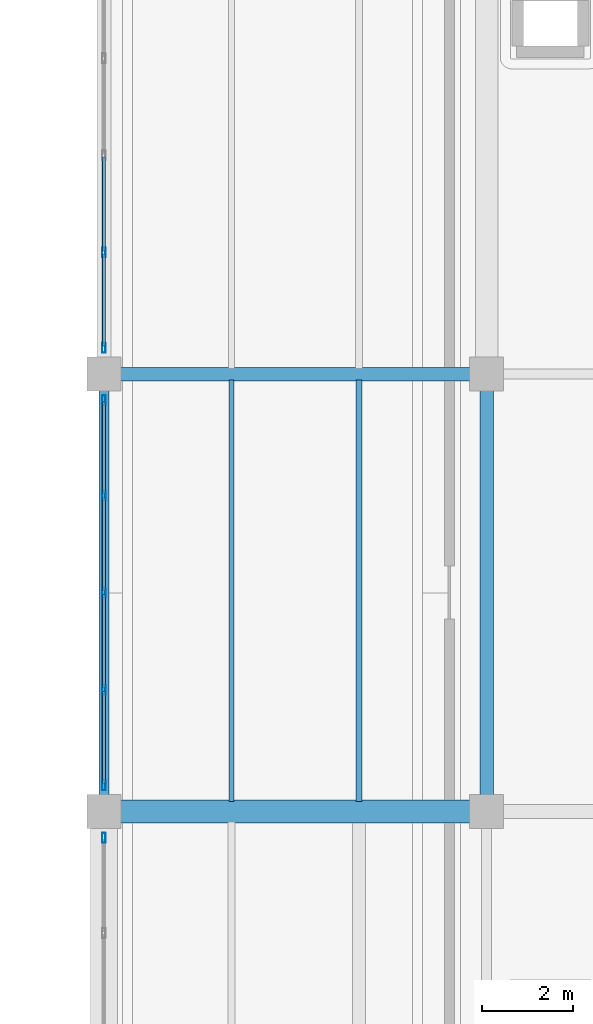
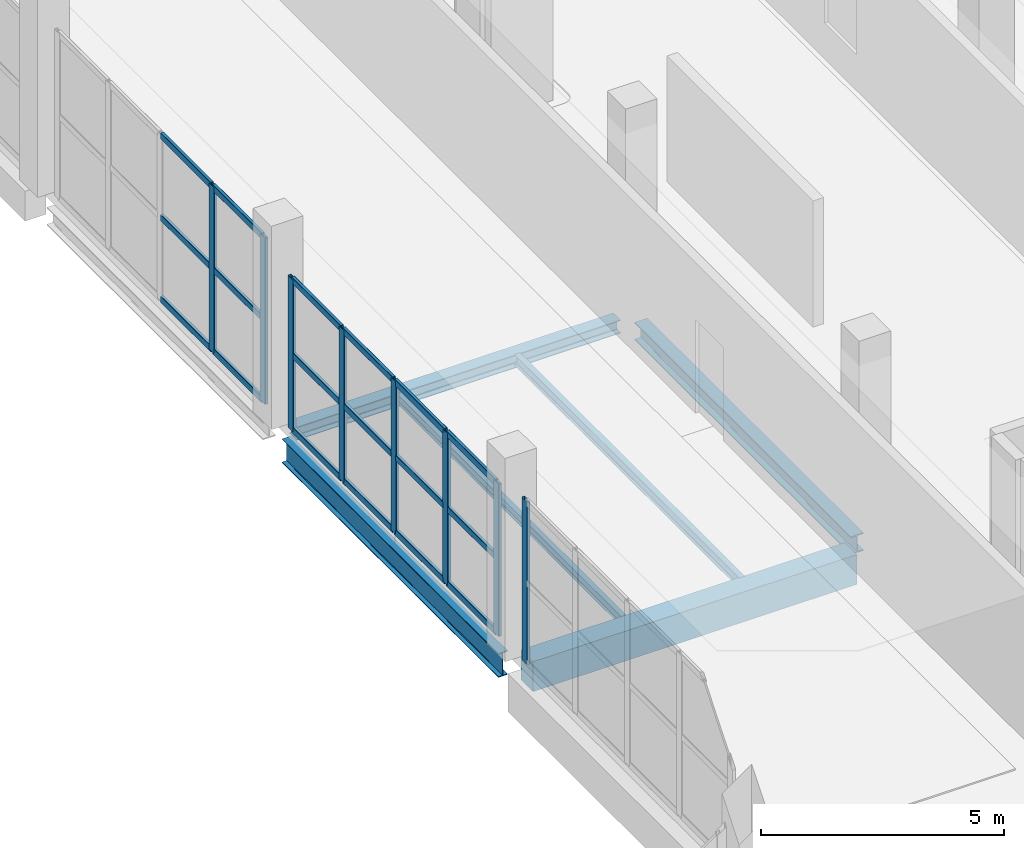
# One storey, part 17 of 66: 26 members, 6 beams, 3 elements without a shape of their own.
"""IFC4 building model written with IfcOpenShell, lengths in metres."""

from ifc_helpers import new_model, si_unit, direction, frame, origin, origin_2d, place, context, subcontext, project, spatial, rectangle, hollow_rectangle, i_section, extrude, material, layer, layer_set, material_profile, profile_set, type_object, element, aggregate, save


model = new_model("IFC4")

# Units and contexts
model_context = context("Model", 3, precision=1e-05, world=origin(), true_north=direction((0.0, 1.0)))
body_context = subcontext(model_context, "Body", "Model", "MODEL_VIEW")
ifc_project = project(units=[si_unit("LENGTHUNIT", "METRE"), si_unit("AREAUNIT", "SQUARE_METRE"), si_unit("VOLUMEUNIT", "CUBIC_METRE"), si_unit("PLANEANGLEUNIT", "RADIAN"), si_unit("MASSUNIT", "GRAM", prefix="KILO")], contexts=[model_context])

# Site, building, storey
site_placement = place(None, origin())
site = spatial("IfcSite", under=ifc_project, at=site_placement, CompositionType="ELEMENT")
building_placement = place(site_placement, origin())
building = spatial("IfcBuilding", under=site, at=building_placement, Name="Zulmaris Art Gallery", CompositionType="ELEMENT")
storey_placement = place(building_placement, frame((0.0, 0.0, 5.39990234375)))
storey = spatial("IfcBuildingStorey", under=building, at=storey_placement, Name="L01", CompositionType="ELEMENT", Elevation=5.39990234375)

# Beams
ifc_material_1 = material(Name="Steel S355J2", Category="steel")
ifc_material_profile_1 = material_profile(ifc_material_1, i_section(OverallWidth=0.219970703125, OverallDepth=0.60009765625, WebThickness=0.011962890625, FlangeThickness=0.01904296875, FilletRadius=0.02392578125, at=origin_2d()), Name="IPE 600")
ifc_profile_set_1 = profile_set([ifc_material_profile_1], Name="Steel S355J2")
beam_type_1 = type_object("IfcBeamType", Name="BEAM-BM07", PredefinedType="BEAM", material=ifc_profile_set_1)
beam_1_placement = place(storey_placement, frame((124.800048828125, 31.56005859375, -0.6298828125), z_axis=(0.0, 1.0, 0.0), x_axis=(-1.0, 0.0, 0.0)))
element("IfcBeam", 1, at=beam_1_placement, inside=storey, type_object=beam_type_1, Name="L01 Y-girder (x=124.8, 31.2..40.8)", PredefinedType="BEAM", context=body_context, shape_type="SweptSolid", body=[
    extrude(i_section(OverallWidth=0.219970703125, OverallDepth=0.60009765625, WebThickness=0.011962890625, FlangeThickness=0.01904296875, FilletRadius=0.02392578125, at=origin_2d()), origin(), (0.0, 0.0, 1.0), 8.8798828125),
])
ifc_material_profile_2 = material_profile(ifc_material_1, i_section(OverallWidth=0.300048828125, OverallDepth=0.330078125, WebThickness=0.009521484375, FlangeThickness=0.0166015625, FilletRadius=0.027099609375, at=origin_2d()), Name="HEA 340")
ifc_profile_set_2 = profile_set([ifc_material_profile_2], Name="Steel S355J2")
beam_type_2 = type_object("IfcBeamType", Name="BEAM-BM08", PredefinedType="BEAM", material=ifc_profile_set_2)
beam_2_placement = place(storey_placement, frame((125.159912109375, 40.800048828125, -0.494873046875), z_axis=(1.0, 0.0, 0.0), x_axis=(0.0, 1.0, 0.0)))
element("IfcBeam", 2, at=beam_2_placement, inside=storey, type_object=beam_type_2, Name="L01 X-girder (124.8..133.2, y=40.8)", PredefinedType="BEAM", context=body_context, shape_type="SweptSolid", body=[
    extrude(i_section(OverallWidth=0.300048828125, OverallDepth=0.330078125, WebThickness=0.009521484375, FlangeThickness=0.0166015625, FilletRadius=0.027099609375, at=origin_2d()), origin(), (0.0, 0.0, 1.0), 7.68017578125),
])
ifc_material_profile_3 = material_profile(ifc_material_1, i_section(OverallWidth=0.300048828125, OverallDepth=0.449951171875, WebThickness=0.013916015625, FlangeThickness=0.02587890625, FilletRadius=0.027099609375, at=origin_2d()), Name="HEB 450")
ifc_profile_set_3 = profile_set([ifc_material_profile_3], Name="Steel S355J2")
beam_type_3 = type_object("IfcBeamType", Name="BEAM-BM13", PredefinedType="BEAM", material=ifc_profile_set_3)
beam_3_placement = place(storey_placement, frame((133.199951171875, 31.56005859375, -0.554931640625), z_axis=(0.0, 1.0, 0.0), x_axis=(-1.0, 0.0, 0.0)))
element("IfcBeam", 3, at=beam_3_placement, inside=storey, type_object=beam_type_3, Name="L01 Y-girder (x=133.2, 31.2..40.8)", PredefinedType="BEAM", context=body_context, shape_type="SweptSolid", body=[
    extrude(i_section(OverallWidth=0.300048828125, OverallDepth=0.449951171875, WebThickness=0.013916015625, FlangeThickness=0.02587890625, FilletRadius=0.027099609375, at=origin_2d()), origin(), (0.0, 0.0, 1.0), 8.8798828125),
])
ifc_material_2 = material(Name="Concrete C40/50", Category="concrete")
ifc_material_profile_4 = material_profile(ifc_material_2, rectangle(XDim=0.5, YDim=0.75, at=origin_2d()), Name="RC 500x750")
ifc_profile_set_4 = profile_set([ifc_material_profile_4], Name="Concrete C40/50")
beam_type_4 = type_object("IfcBeamType", Name="BEAM-BM20", PredefinedType="BEAM", material=ifc_profile_set_4)
beam_4_placement = place(storey_placement, frame((125.159912109375, 31.199951171875, -0.704833984375), z_axis=(1.0, 0.0, 0.0), x_axis=(0.0, 1.0, 0.0)))
element("IfcBeam", 4, at=beam_4_placement, inside=storey, type_object=beam_type_4, Name="L01 X-girder (124.8..133.2, y=31.2)", PredefinedType="BEAM", context=body_context, shape_type="SweptSolid", body=[
    extrude(rectangle(XDim=0.5, YDim=0.75, at=origin_2d()), origin(), (0.0, 0.0, 1.0), 7.68017578125),
])
ifc_material_profile_5 = material_profile(ifc_material_1, i_section(OverallWidth=0.1201171875, OverallDepth=0.239990234375, WebThickness=0.006103515625, FlangeThickness=0.009765625, FilletRadius=0.014892578125, at=origin_2d()), Name="IPE 240")
ifc_profile_set_5 = profile_set([ifc_material_profile_5], Name="Steel S355J2")
beam_type_5 = type_object("IfcBeamType", Name="BEAM-JS01", PredefinedType="JOIST", material=ifc_profile_set_5)
beam_5_placement = place(storey_placement, frame((127.60009765625, 31.425048828125, -0.449951171875), z_axis=(0.0, 1.0, 0.0), x_axis=(-1.0, 0.0, 0.0)))
element("IfcBeam", 5, at=beam_5_placement, inside=storey, type_object=beam_type_5, Name="L01 secondary joist at x=127.6", PredefinedType="JOIST", context=body_context, shape_type="SweptSolid", body=[
    extrude(i_section(OverallWidth=0.1201171875, OverallDepth=0.239990234375, WebThickness=0.006103515625, FlangeThickness=0.009765625, FilletRadius=0.014892578125, at=origin_2d()), origin(), (0.0, 0.0, 1.0), 9.25),
])
ifc_material_profile_6 = material_profile(ifc_material_1, i_section(OverallWidth=0.135009765625, OverallDepth=0.27001953125, WebThickness=0.006591796875, FlangeThickness=0.01025390625, FilletRadius=0.014892578125, at=origin_2d()), Name="IPE 270")
ifc_profile_set_6 = profile_set([ifc_material_profile_6], Name="Steel S355J2")
beam_type_6 = type_object("IfcBeamType", Name="BEAM-JS02", PredefinedType="JOIST", material=ifc_profile_set_6)
beam_6_placement = place(storey_placement, frame((130.39990234375, 31.425048828125, -0.46484375), z_axis=(0.0, 1.0, 0.0), x_axis=(-1.0, 0.0, 0.0)))
element("IfcBeam", 6, at=beam_6_placement, inside=storey, type_object=beam_type_6, Name="L01 secondary joist at x=130.4", PredefinedType="JOIST", context=body_context, shape_type="SweptSolid", body=[
    extrude(i_section(OverallWidth=0.135009765625, OverallDepth=0.27001953125, WebThickness=0.006591796875, FlangeThickness=0.01025390625, FilletRadius=0.014892578125, at=origin_2d()), origin(), (0.0, 0.0, 1.0), 9.25),
])

# Curtain wall, member
ifc_material_3 = material(Name="Unitised Low-E Gallery Curtain Wall", Category="aluminium")
ifc_layer = layer(ifc_material_3, 0.179931640625)
ifc_layer_set = layer_set([ifc_layer], Name="Unitised Low-E Gallery Curtain Wall")
curtain_wall_type = type_object("IfcCurtainWallType", Name="CW-CW01", PredefinedType="NOTDEFINED", material=ifc_layer_set)
curtain_wall_1_placement = place(storey_placement, origin())
curtain_wall_1 = element("IfcCurtainWall", 7, at=curtain_wall_1_placement, inside=storey, type_object=curtain_wall_type, Name="L01 curtain wall 100", PredefinedType="NOTDEFINED")
ifc_material_4 = material(Name="Anodised Bronze Aluminium", Category="aluminium")
ifc_material_profile_7 = material_profile(ifc_material_4, hollow_rectangle(XDim=0.074951171875, YDim=0.219970703125, WallThickness=0.0048828125, InnerFilletRadius=0.007568359375, OuterFilletRadius=0.012451171875, at=origin_2d()), Name="ALU 75x220x5")
ifc_profile_set_7 = profile_set([ifc_material_profile_7], Name="Anodised Bronze Aluminium")
member_type_1 = type_object("IfcMemberType", Name="CWMUL-02", PredefinedType="MULLION", material=ifc_profile_set_7)
member_1_placement = place(storey_placement, frame((124.800048828125, 30.62255859375, 0.0), z_axis=(0.0, 0.0, 1.0), x_axis=(-1.0, 0.0, 0.0)))
member_1 = element("IfcMember", 8, at=member_1_placement, type_object=member_type_1, Name="CW01 mullion 5", PredefinedType="MULLION", context=body_context, shape_type="SweptSolid", body=[
    extrude(hollow_rectangle(XDim=0.074951171875, YDim=0.219970703125, WallThickness=0.0048828125, InnerFilletRadius=0.007568359375, OuterFilletRadius=0.012451171875, at=origin_2d()), origin(), (0.0, 0.0, 1.0), 4.0751953125),
])
aggregate(curtain_wall_1, [member_1])

# Curtain wall, members
curtain_wall_2_placement = place(storey_placement, origin())
curtain_wall_2 = element("IfcCurtainWall", 9, at=curtain_wall_2_placement, inside=storey, type_object=curtain_wall_type, Name="L01 curtain wall 101", PredefinedType="NOTDEFINED")
member_2_placement = place(storey_placement, frame((124.800048828125, 31.777587890625, 0.0), z_axis=(0.0, 0.0, 1.0), x_axis=(-1.0, 0.0, 0.0)))
member_2 = element("IfcMember", 10, at=member_2_placement, type_object=member_type_1, Name="CW01 mullion 1", PredefinedType="MULLION", context=body_context, shape_type="SweptSolid", body=[
    extrude(hollow_rectangle(XDim=0.074951171875, YDim=0.219970703125, WallThickness=0.0048828125, InnerFilletRadius=0.007568359375, OuterFilletRadius=0.012451171875, at=origin_2d()), origin(), (0.0, 0.0, 1.0), 3.820068359375),
])
member_3_placement = place(storey_placement, frame((124.800048828125, 33.8701171875, 0.0), z_axis=(0.0, 0.0, 1.0), x_axis=(-1.0, 0.0, 0.0)))
member_3 = element("IfcMember", 11, at=member_3_placement, type_object=member_type_1, Name="CW01 mullion 2", PredefinedType="MULLION", context=body_context, shape_type="SweptSolid", body=[
    extrude(hollow_rectangle(XDim=0.074951171875, YDim=0.219970703125, WallThickness=0.0048828125, InnerFilletRadius=0.007568359375, OuterFilletRadius=0.012451171875, at=origin_2d()), origin(), (0.0, 0.0, 1.0), 3.820068359375),
])
member_4_placement = place(storey_placement, frame((124.800048828125, 36.0, 0.0), z_axis=(0.0, 0.0, 1.0), x_axis=(-1.0, 0.0, 0.0)))
member_4 = element("IfcMember", 12, at=member_4_placement, type_object=member_type_1, Name="CW01 mullion 3", PredefinedType="MULLION", context=body_context, shape_type="SweptSolid", body=[
    extrude(hollow_rectangle(XDim=0.074951171875, YDim=0.219970703125, WallThickness=0.0048828125, InnerFilletRadius=0.007568359375, OuterFilletRadius=0.012451171875, at=origin_2d()), origin(), (0.0, 0.0, 1.0), 3.820068359375),
])
member_5_placement = place(storey_placement, frame((124.800048828125, 38.1298828125, 0.0), z_axis=(0.0, 0.0, 1.0), x_axis=(-1.0, 0.0, 0.0)))
member_5 = element("IfcMember", 13, at=member_5_placement, type_object=member_type_1, Name="CW01 mullion 4", PredefinedType="MULLION", context=body_context, shape_type="SweptSolid", body=[
    extrude(hollow_rectangle(XDim=0.074951171875, YDim=0.219970703125, WallThickness=0.0048828125, InnerFilletRadius=0.007568359375, OuterFilletRadius=0.012451171875, at=origin_2d()), origin(), (0.0, 0.0, 1.0), 3.820068359375),
])
member_6_placement = place(storey_placement, frame((124.800048828125, 40.222412109375, 0.0), z_axis=(0.0, 0.0, 1.0), x_axis=(-1.0, 0.0, 0.0)))
member_6 = element("IfcMember", 14, at=member_6_placement, type_object=member_type_1, Name="CW01 mullion 5", PredefinedType="MULLION", context=body_context, shape_type="SweptSolid", body=[
    extrude(hollow_rectangle(XDim=0.074951171875, YDim=0.219970703125, WallThickness=0.0048828125, InnerFilletRadius=0.007568359375, OuterFilletRadius=0.012451171875, at=origin_2d()), origin(), (0.0, 0.0, 1.0), 3.820068359375),
])

curtain_wall_3_placement = place(storey_placement, origin())
curtain_wall_3 = element("IfcCurtainWall", 15, at=curtain_wall_3_placement, inside=storey, type_object=curtain_wall_type, Name="L01 curtain wall 102", PredefinedType="NOTDEFINED")
member_7_placement = place(storey_placement, frame((124.800048828125, 41.37744140625, 0.0), z_axis=(0.0, 0.0, 1.0), x_axis=(-1.0, 0.0, 0.0)))
member_7 = element("IfcMember", 16, at=member_7_placement, type_object=member_type_1, Name="CW01 mullion 1", PredefinedType="MULLION", context=body_context, shape_type="SweptSolid", body=[
    extrude(hollow_rectangle(XDim=0.074951171875, YDim=0.219970703125, WallThickness=0.0048828125, InnerFilletRadius=0.007568359375, OuterFilletRadius=0.012451171875, at=origin_2d()), origin(), (0.0, 0.0, 1.0), 4.170166015625),
])
member_8_placement = place(storey_placement, frame((124.800048828125, 43.469970703125, 0.0), z_axis=(0.0, 0.0, 1.0), x_axis=(-1.0, 0.0, 0.0)))
member_8 = element("IfcMember", 17, at=member_8_placement, type_object=member_type_1, Name="CW01 mullion 2", PredefinedType="MULLION", context=body_context, shape_type="SweptSolid", body=[
    extrude(hollow_rectangle(XDim=0.074951171875, YDim=0.219970703125, WallThickness=0.0048828125, InnerFilletRadius=0.007568359375, OuterFilletRadius=0.012451171875, at=origin_2d()), origin(), (0.0, 0.0, 1.0), 4.170166015625),
])

# Member
ifc_material_profile_8 = material_profile(ifc_material_4, hollow_rectangle(XDim=0.074951171875, YDim=0.159912109375, WallThickness=0.00390625, InnerFilletRadius=0.006103515625, OuterFilletRadius=0.010009765625, at=origin_2d()), Name="ALU 75x160x4")
ifc_profile_set_8 = profile_set([ifc_material_profile_8], Name="Anodised Bronze Aluminium")
member_type_2 = type_object("IfcMemberType", Name="CWTRN-02", PredefinedType="USERDEFINED", material=ifc_profile_set_8)
member_9_placement = place(storey_placement, frame((124.800048828125, 31.81494140625, 0.03759765625), z_axis=(0.0, 1.0, 0.0), x_axis=(-1.0, 0.0, 0.0)))
member_9 = element("IfcMember", 18, at=member_9_placement, type_object=member_type_2, Name="CW01 transom 1.1", ObjectType="TRANSOM", PredefinedType="USERDEFINED", context=body_context, shape_type="SweptSolid", body=[
    extrude(hollow_rectangle(XDim=0.074951171875, YDim=0.159912109375, WallThickness=0.00390625, InnerFilletRadius=0.006103515625, OuterFilletRadius=0.010009765625, at=origin_2d()), origin(), (0.0, 0.0, 1.0), 2.017578125),
])

member_10_placement = place(storey_placement, frame((124.800048828125, 31.81494140625, 1.91015625), z_axis=(0.0, 1.0, 0.0), x_axis=(-1.0, 0.0, 0.0)))
member_10 = element("IfcMember", 19, at=member_10_placement, type_object=member_type_2, Name="CW01 transom 1.2", ObjectType="TRANSOM", PredefinedType="USERDEFINED", context=body_context, shape_type="SweptSolid", body=[
    extrude(hollow_rectangle(XDim=0.074951171875, YDim=0.159912109375, WallThickness=0.00390625, InnerFilletRadius=0.006103515625, OuterFilletRadius=0.010009765625, at=origin_2d()), origin(), (0.0, 0.0, 1.0), 2.017578125),
])

member_11_placement = place(storey_placement, frame((124.800048828125, 31.81494140625, 3.78271484375), z_axis=(0.0, 1.0, 0.0), x_axis=(-1.0, 0.0, 0.0)))
member_11 = element("IfcMember", 20, at=member_11_placement, type_object=member_type_2, Name="CW01 transom 1.3", ObjectType="TRANSOM", PredefinedType="USERDEFINED", context=body_context, shape_type="SweptSolid", body=[
    extrude(hollow_rectangle(XDim=0.074951171875, YDim=0.159912109375, WallThickness=0.00390625, InnerFilletRadius=0.006103515625, OuterFilletRadius=0.010009765625, at=origin_2d()), origin(), (0.0, 0.0, 1.0), 2.017578125),
])

member_12_placement = place(storey_placement, frame((124.800048828125, 33.907470703125, 0.03759765625), z_axis=(0.0, 1.0, 0.0), x_axis=(-1.0, 0.0, 0.0)))
member_12 = element("IfcMember", 21, at=member_12_placement, type_object=member_type_2, Name="CW01 transom 2.1", ObjectType="TRANSOM", PredefinedType="USERDEFINED", context=body_context, shape_type="SweptSolid", body=[
    extrude(hollow_rectangle(XDim=0.074951171875, YDim=0.159912109375, WallThickness=0.00390625, InnerFilletRadius=0.006103515625, OuterFilletRadius=0.010009765625, at=origin_2d()), origin(), (0.0, 0.0, 1.0), 2.054931640625),
])

member_13_placement = place(storey_placement, frame((124.800048828125, 33.907470703125, 1.91015625), z_axis=(0.0, 1.0, 0.0), x_axis=(-1.0, 0.0, 0.0)))
member_13 = element("IfcMember", 22, at=member_13_placement, type_object=member_type_2, Name="CW01 transom 2.2", ObjectType="TRANSOM", PredefinedType="USERDEFINED", context=body_context, shape_type="SweptSolid", body=[
    extrude(hollow_rectangle(XDim=0.074951171875, YDim=0.159912109375, WallThickness=0.00390625, InnerFilletRadius=0.006103515625, OuterFilletRadius=0.010009765625, at=origin_2d()), origin(), (0.0, 0.0, 1.0), 2.054931640625),
])

member_14_placement = place(storey_placement, frame((124.800048828125, 33.907470703125, 3.78271484375), z_axis=(0.0, 1.0, 0.0), x_axis=(-1.0, 0.0, 0.0)))
member_14 = element("IfcMember", 23, at=member_14_placement, type_object=member_type_2, Name="CW01 transom 2.3", ObjectType="TRANSOM", PredefinedType="USERDEFINED", context=body_context, shape_type="SweptSolid", body=[
    extrude(hollow_rectangle(XDim=0.074951171875, YDim=0.159912109375, WallThickness=0.00390625, InnerFilletRadius=0.006103515625, OuterFilletRadius=0.010009765625, at=origin_2d()), origin(), (0.0, 0.0, 1.0), 2.054931640625),
])

member_15_placement = place(storey_placement, frame((124.800048828125, 36.03759765625, 0.03759765625), z_axis=(0.0, 1.0, 0.0), x_axis=(-1.0, 0.0, 0.0)))
member_15 = element("IfcMember", 24, at=member_15_placement, type_object=member_type_2, Name="CW01 transom 3.1", ObjectType="TRANSOM", PredefinedType="USERDEFINED", context=body_context, shape_type="SweptSolid", body=[
    extrude(hollow_rectangle(XDim=0.074951171875, YDim=0.159912109375, WallThickness=0.00390625, InnerFilletRadius=0.006103515625, OuterFilletRadius=0.010009765625, at=origin_2d()), origin(), (0.0, 0.0, 1.0), 2.054931640625),
])

member_16_placement = place(storey_placement, frame((124.800048828125, 36.03759765625, 1.91015625), z_axis=(0.0, 1.0, 0.0), x_axis=(-1.0, 0.0, 0.0)))
member_16 = element("IfcMember", 25, at=member_16_placement, type_object=member_type_2, Name="CW01 transom 3.2", ObjectType="TRANSOM", PredefinedType="USERDEFINED", context=body_context, shape_type="SweptSolid", body=[
    extrude(hollow_rectangle(XDim=0.074951171875, YDim=0.159912109375, WallThickness=0.00390625, InnerFilletRadius=0.006103515625, OuterFilletRadius=0.010009765625, at=origin_2d()), origin(), (0.0, 0.0, 1.0), 2.054931640625),
])

member_17_placement = place(storey_placement, frame((124.800048828125, 36.03759765625, 3.78271484375), z_axis=(0.0, 1.0, 0.0), x_axis=(-1.0, 0.0, 0.0)))
member_17 = element("IfcMember", 26, at=member_17_placement, type_object=member_type_2, Name="CW01 transom 3.3", ObjectType="TRANSOM", PredefinedType="USERDEFINED", context=body_context, shape_type="SweptSolid", body=[
    extrude(hollow_rectangle(XDim=0.074951171875, YDim=0.159912109375, WallThickness=0.00390625, InnerFilletRadius=0.006103515625, OuterFilletRadius=0.010009765625, at=origin_2d()), origin(), (0.0, 0.0, 1.0), 2.054931640625),
])

member_18_placement = place(storey_placement, frame((124.800048828125, 38.16748046875, 0.03759765625), z_axis=(0.0, 1.0, 0.0), x_axis=(-1.0, 0.0, 0.0)))
member_18 = element("IfcMember", 27, at=member_18_placement, type_object=member_type_2, Name="CW01 transom 4.1", ObjectType="TRANSOM", PredefinedType="USERDEFINED", context=body_context, shape_type="SweptSolid", body=[
    extrude(hollow_rectangle(XDim=0.074951171875, YDim=0.159912109375, WallThickness=0.00390625, InnerFilletRadius=0.006103515625, OuterFilletRadius=0.010009765625, at=origin_2d()), origin(), (0.0, 0.0, 1.0), 2.017578125),
])

member_19_placement = place(storey_placement, frame((124.800048828125, 38.16748046875, 1.91015625), z_axis=(0.0, 1.0, 0.0), x_axis=(-1.0, 0.0, 0.0)))
member_19 = element("IfcMember", 28, at=member_19_placement, type_object=member_type_2, Name="CW01 transom 4.2", ObjectType="TRANSOM", PredefinedType="USERDEFINED", context=body_context, shape_type="SweptSolid", body=[
    extrude(hollow_rectangle(XDim=0.074951171875, YDim=0.159912109375, WallThickness=0.00390625, InnerFilletRadius=0.006103515625, OuterFilletRadius=0.010009765625, at=origin_2d()), origin(), (0.0, 0.0, 1.0), 2.017578125),
])

member_20_placement = place(storey_placement, frame((124.800048828125, 38.16748046875, 3.78271484375), z_axis=(0.0, 1.0, 0.0), x_axis=(-1.0, 0.0, 0.0)))
member_20 = element("IfcMember", 29, at=member_20_placement, type_object=member_type_2, Name="CW01 transom 4.3", ObjectType="TRANSOM", PredefinedType="USERDEFINED", context=body_context, shape_type="SweptSolid", body=[
    extrude(hollow_rectangle(XDim=0.074951171875, YDim=0.159912109375, WallThickness=0.00390625, InnerFilletRadius=0.006103515625, OuterFilletRadius=0.010009765625, at=origin_2d()), origin(), (0.0, 0.0, 1.0), 2.017578125),
])

aggregate(curtain_wall_2, [member_2, member_3, member_4, member_5, member_6, member_9, member_10, member_11, member_12, member_13, member_14, member_15, member_16, member_17, member_18, member_19, member_20])

member_21_placement = place(storey_placement, frame((124.800048828125, 41.4150390625, 0.03759765625), z_axis=(0.0, 1.0, 0.0), x_axis=(-1.0, 0.0, 0.0)))
member_21 = element("IfcMember", 30, at=member_21_placement, type_object=member_type_2, Name="CW01 transom 1.1", ObjectType="TRANSOM", PredefinedType="USERDEFINED", context=body_context, shape_type="SweptSolid", body=[
    extrude(hollow_rectangle(XDim=0.074951171875, YDim=0.159912109375, WallThickness=0.00390625, InnerFilletRadius=0.006103515625, OuterFilletRadius=0.010009765625, at=origin_2d()), origin(), (0.0, 0.0, 1.0), 2.017578125),
])

member_22_placement = place(storey_placement, frame((124.800048828125, 41.4150390625, 2.085205078125), z_axis=(0.0, 1.0, 0.0), x_axis=(-1.0, 0.0, 0.0)))
member_22 = element("IfcMember", 31, at=member_22_placement, type_object=member_type_2, Name="CW01 transom 1.2", ObjectType="TRANSOM", PredefinedType="USERDEFINED", context=body_context, shape_type="SweptSolid", body=[
    extrude(hollow_rectangle(XDim=0.074951171875, YDim=0.159912109375, WallThickness=0.00390625, InnerFilletRadius=0.006103515625, OuterFilletRadius=0.010009765625, at=origin_2d()), origin(), (0.0, 0.0, 1.0), 2.017578125),
])

member_23_placement = place(storey_placement, frame((124.800048828125, 41.4150390625, 4.132568359375), z_axis=(0.0, 1.0, 0.0), x_axis=(-1.0, 0.0, 0.0)))
member_23 = element("IfcMember", 32, at=member_23_placement, type_object=member_type_2, Name="CW01 transom 1.3", ObjectType="TRANSOM", PredefinedType="USERDEFINED", context=body_context, shape_type="SweptSolid", body=[
    extrude(hollow_rectangle(XDim=0.074951171875, YDim=0.159912109375, WallThickness=0.00390625, InnerFilletRadius=0.006103515625, OuterFilletRadius=0.010009765625, at=origin_2d()), origin(), (0.0, 0.0, 1.0), 2.017578125),
])

member_24_placement = place(storey_placement, frame((124.800048828125, 43.507568359375, 0.03759765625), z_axis=(0.0, 1.0, 0.0), x_axis=(-1.0, 0.0, 0.0)))
member_24 = element("IfcMember", 33, at=member_24_placement, type_object=member_type_2, Name="CW01 transom 2.1", ObjectType="TRANSOM", PredefinedType="USERDEFINED", context=body_context, shape_type="SweptSolid", body=[
    extrude(hollow_rectangle(XDim=0.074951171875, YDim=0.159912109375, WallThickness=0.00390625, InnerFilletRadius=0.006103515625, OuterFilletRadius=0.010009765625, at=origin_2d()), origin(), (0.0, 0.0, 1.0), 2.054931640625),
])

member_25_placement = place(storey_placement, frame((124.800048828125, 43.507568359375, 2.085205078125), z_axis=(0.0, 1.0, 0.0), x_axis=(-1.0, 0.0, 0.0)))
member_25 = element("IfcMember", 34, at=member_25_placement, type_object=member_type_2, Name="CW01 transom 2.2", ObjectType="TRANSOM", PredefinedType="USERDEFINED", context=body_context, shape_type="SweptSolid", body=[
    extrude(hollow_rectangle(XDim=0.074951171875, YDim=0.159912109375, WallThickness=0.00390625, InnerFilletRadius=0.006103515625, OuterFilletRadius=0.010009765625, at=origin_2d()), origin(), (0.0, 0.0, 1.0), 2.054931640625),
])

member_26_placement = place(storey_placement, frame((124.800048828125, 43.507568359375, 4.132568359375), z_axis=(0.0, 1.0, 0.0), x_axis=(-1.0, 0.0, 0.0)))
member_26 = element("IfcMember", 35, at=member_26_placement, type_object=member_type_2, Name="CW01 transom 2.3", ObjectType="TRANSOM", PredefinedType="USERDEFINED", context=body_context, shape_type="SweptSolid", body=[
    extrude(hollow_rectangle(XDim=0.074951171875, YDim=0.159912109375, WallThickness=0.00390625, InnerFilletRadius=0.006103515625, OuterFilletRadius=0.010009765625, at=origin_2d()), origin(), (0.0, 0.0, 1.0), 2.054931640625),
])

aggregate(curtain_wall_3, [member_7, member_8, member_21, member_22, member_23, member_24, member_25, member_26])

save(model, "model.ifc")
